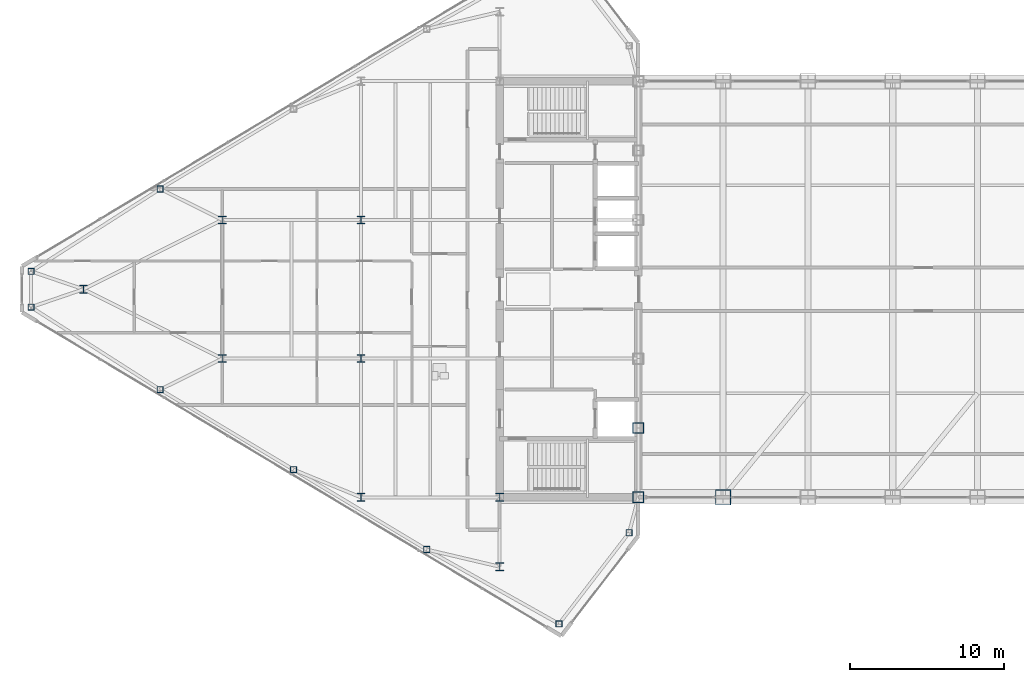
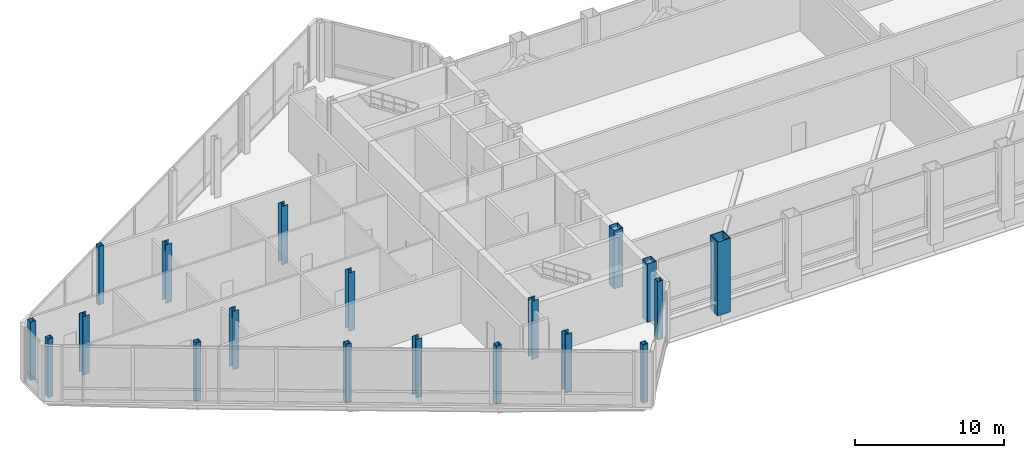
# One storey, part 1 of 29: 19 columns.
"""IFC4 building model written with IfcOpenShell, lengths in metres."""

from ifc_helpers import new_model, si_unit, direction, frame, origin, origin_2d, place, context, subcontext, project, spatial, hollow_rectangle, i_section, extrude, source, transform, mapped, material, material_profile, profile_set, type_object, type_shapes, element, save


model = new_model("IFC4")

# Units and contexts
model_context = context("Model", 3, precision=1e-05, world=origin(), true_north=direction((0.0, 1.0)))
body_context = subcontext(model_context, "Body", "Model", "MODEL_VIEW")
ifc_project = project(units=[si_unit("LENGTHUNIT", "METRE"), si_unit("AREAUNIT", "SQUARE_METRE"), si_unit("VOLUMEUNIT", "CUBIC_METRE"), si_unit("PLANEANGLEUNIT", "RADIAN"), si_unit("MASSUNIT", "GRAM", prefix="KILO")], contexts=[model_context])

# Site, building, storey
site_placement = place(None, origin())
site = spatial("IfcSite", under=ifc_project, at=site_placement, CompositionType="ELEMENT")
building_placement = place(site_placement, origin())
building = spatial("IfcBuilding", under=site, at=building_placement, Name="Seokmaru Belvedere", CompositionType="ELEMENT")
storey_placement = place(building_placement, frame((0.0, 0.0, 229.800048828125)))
storey = spatial("IfcBuildingStorey", under=building, at=storey_placement, Name="L61", CompositionType="ELEMENT", Elevation=229.800048828125)

# Columns
ifc_material_1 = material(Name="Steel SM355 (355 MPa)", Category="steel")
ifc_material_profile_1 = material_profile(ifc_material_1, hollow_rectangle(XDim=0.699951171875, YDim=0.699951171875, WallThickness=0.030029296875, at=origin_2d()), Name="BOX-700x700x30")
ifc_profile_set_1 = profile_set([ifc_material_profile_1], Name="Steel SM355 (355 MPa)")
column_type_1 = type_object("IfcColumnType", Name="Upper Spine Column BOX-700", PredefinedType="COLUMN", material=ifc_profile_set_1)
shared_shape_1 = source(origin(), body_context, "Body", "SweptSolid", [
    extrude(hollow_rectangle(XDim=0.699951171875, YDim=0.699951171875, WallThickness=0.030029296875, at=origin_2d()), origin(), (0.0, 0.0, 1.0), 4.800048828125),
])
type_shapes(column_type_1, [shared_shape_1])
for number, where, z_axis, x_axis, name in (
    (1, (-27.5, -13.5, 0.0), (0.0, 0.0, 1.0), (1.0, 0.0, 0.0), "L61 Column WS1"),
    (2, (-27.5, -9.0, 0.0), (0.0, 0.0, 1.0), (1.0, 0.0, 0.0), "L61 Column WS2"),
):
    element("IfcColumn", number, at=place(storey_placement, frame(where, z_axis=z_axis, x_axis=x_axis)), inside=storey, type_object=column_type_1, Name=name, PredefinedType="COLUMN", context=body_context, shape_type="MappedRepresentation", body=[
        mapped(shared_shape_1, transform((0.0, 0.0, 0.0), scale=1.0)),
    ])
ifc_material_profile_2 = material_profile(ifc_material_1, i_section(OverallWidth=0.5, OverallDepth=0.5, WebThickness=0.02001953125, FlangeThickness=0.031982421875, at=origin_2d()), Name="H-500x500x20x32")
ifc_profile_set_2 = profile_set([ifc_material_profile_2], Name="Steel SM355 (355 MPa)")
column_type_2 = type_object("IfcColumnType", Name="High-Rise Interior Column H-500", PredefinedType="COLUMN", material=ifc_profile_set_2)
shared_shape_2 = source(origin(), body_context, "Body", "SweptSolid", [
    extrude(i_section(OverallWidth=0.5, OverallDepth=0.5, WebThickness=0.02001953125, FlangeThickness=0.031982421875, at=origin_2d()), origin(), (0.0, 0.0, 1.0), 4.800048828125),
])
type_shapes(column_type_2, [shared_shape_2])
for number, where, z_axis, x_axis, name in (
    (3, (-36.5, -18.0, 0.0), (0.0, 0.0, 1.0), (1.0, 0.0, 0.0), "L61 Column WC1"),
    (4, (-36.5, -13.5, 0.0), (0.0, 0.0, 1.0), (1.0, 0.0, 0.0), "L61 Column WC2"),
    (5, (-45.5, -13.5, 0.0), (0.0, 0.0, 1.0), (1.0, 0.0, 0.0), "L61 Column WG5_1"),
    (6, (-45.5, -4.5, 0.0), (0.0, 0.0, 1.0), (1.0, 0.0, 0.0), "L61 Column WG5_2"),
    (7, (-45.5, 4.5, 0.0), (0.0, 0.0, 1.0), (1.0, 0.0, 0.0), "L61 Column WG5_3"),
    (8, (-54.5, -4.5, 0.0), (0.0, 0.0, 1.0), (1.0, 0.0, 0.0), "L61 Column WG4P_1"),
    (9, (-54.5, 4.5, 0.0), (0.0, 0.0, 1.0), (1.0, 0.0, 0.0), "L61 Column WG4P_2"),
    (10, (-63.5, 0.0, 0.0), (0.0, 0.0, 1.0), (1.0, 0.0, 0.0), "L61 Column WG3P_1"),
):
    element("IfcColumn", number, at=place(storey_placement, frame(where, z_axis=z_axis, x_axis=x_axis)), inside=storey, type_object=column_type_2, Name=name, PredefinedType="COLUMN", context=body_context, shape_type="MappedRepresentation", body=[
        mapped(shared_shape_2, transform((0.0, 0.0, 0.0), scale=1.0)),
    ])
ifc_material_profile_3 = material_profile(ifc_material_1, hollow_rectangle(XDim=0.39990234375, YDim=0.39990234375, WallThickness=0.01611328125, at=origin_2d()), Name="HSS-400x400x16")
ifc_profile_set_3 = profile_set([ifc_material_profile_3], Name="Steel SM355 (355 MPa)")
column_type_3 = type_object("IfcColumnType", Name="Perimeter Facet Column HSS-400", PredefinedType="COLUMN", material=ifc_profile_set_3)
shared_shape_3 = source(origin(), body_context, "Body", "SweptSolid", [
    extrude(hollow_rectangle(XDim=0.39990234375, YDim=0.39990234375, WallThickness=0.01611328125, at=origin_2d()), origin(), (0.0, 0.0, 1.0), 4.800048828125),
])
type_shapes(column_type_3, [shared_shape_3])
for number, where, z_axis, x_axis, name in (
    (11, (-28.10009765625, -15.7958984375, 0.0), (0.0, 0.0, 1.0), (1.0, 0.0, 0.0), "L61 Column WF1"),
    (12, (-66.89990234375, 1.160400390625, 0.0), (0.0, 0.0, 1.0), (1.0, 0.0, 0.0), "L61 Column WF4"),
    (13, (-66.89990234375, -1.160400390625, 0.0), (0.0, 0.0, 1.0), (1.0, 0.0, 0.0), "L61 Column WF5"),
    (14, (-32.649658203125, -21.71044921875, 0.0), (0.0, 0.0, 1.0), (1.0, 0.0, 0.0), "L61 Column WF6"),
    (15, (-41.229736328125, -16.888916015625, 0.0), (0.0, 0.0, 1.0), (1.0, 0.0, 0.0), "L61 Column WFLK_S1"),
    (16, (-49.8798828125, -11.698974609375, 0.0), (0.0, 0.0, 1.0), (1.0, 0.0, 0.0), "L61 Column WFLK_S2"),
    (17, (-58.530029296875, -6.5087890625, 0.0), (0.0, 0.0, 1.0), (1.0, 0.0, 0.0), "L61 Column WFLK_S3"),
    (18, (-58.530029296875, 6.5087890625, 0.0), (0.0, 0.0, 1.0), (1.0, 0.0, 0.0), "L61 Column WFLK_N3"),
):
    element("IfcColumn", number, at=place(storey_placement, frame(where, z_axis=z_axis, x_axis=x_axis)), inside=storey, type_object=column_type_3, Name=name, PredefinedType="COLUMN", context=body_context, shape_type="MappedRepresentation", body=[
        mapped(shared_shape_3, transform((0.0, 0.0, 0.0), scale=1.0)),
    ])
ifc_material_2 = material(Name="Steel HSA650 (650 MPa)", Category="steel")
ifc_material_profile_4 = material_profile(ifc_material_2, hollow_rectangle(XDim=1.0, YDim=1.0, WallThickness=0.0419921875, at=origin_2d()), Name="BOX-1000x1000x42")
ifc_profile_set_4 = profile_set([ifc_material_profile_4], Name="Steel HSA650 (650 MPa)")
column_type_4 = type_object("IfcColumnType", Name="Portal Spine Column BOX-1000", PredefinedType="COLUMN", material=ifc_profile_set_4)
shared_shape_4 = source(origin(), body_context, "Body", "SweptSolid", [
    extrude(hollow_rectangle(XDim=1.0, YDim=1.0, WallThickness=0.0419921875, at=origin_2d()), origin(), (0.0, 0.0, 1.0), 6.06005859375),
])
type_shapes(column_type_4, [shared_shape_4])
column_placement = place(storey_placement, frame((-22.0, -13.5, -1.260009765625), z_axis=(0.0, 0.0, 1.0), x_axis=(1.0, 0.0, 0.0)))
element("IfcColumn", 19, at=column_placement, inside=storey, type_object=column_type_4, Name="L61 Column BRS_1", PredefinedType="COLUMN", context=body_context, shape_type="MappedRepresentation", body=[
    mapped(shared_shape_4, transform((0.0, 0.0, 0.0), scale=1.0)),
])

save(model, "model.ifc")
